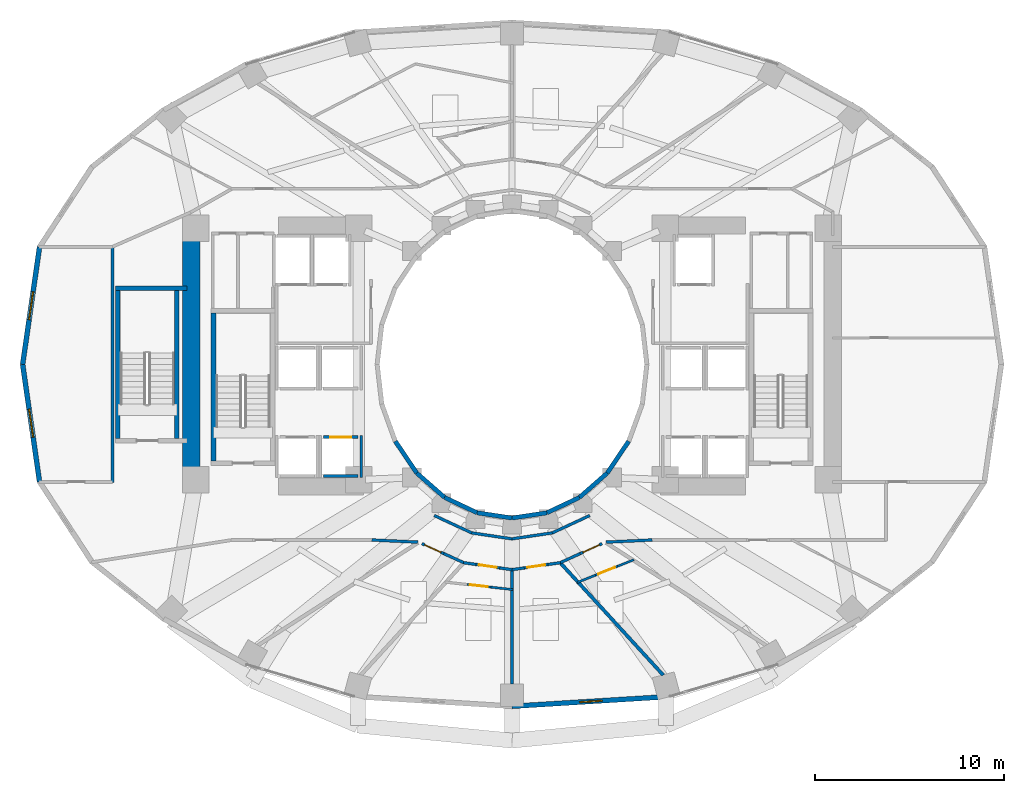
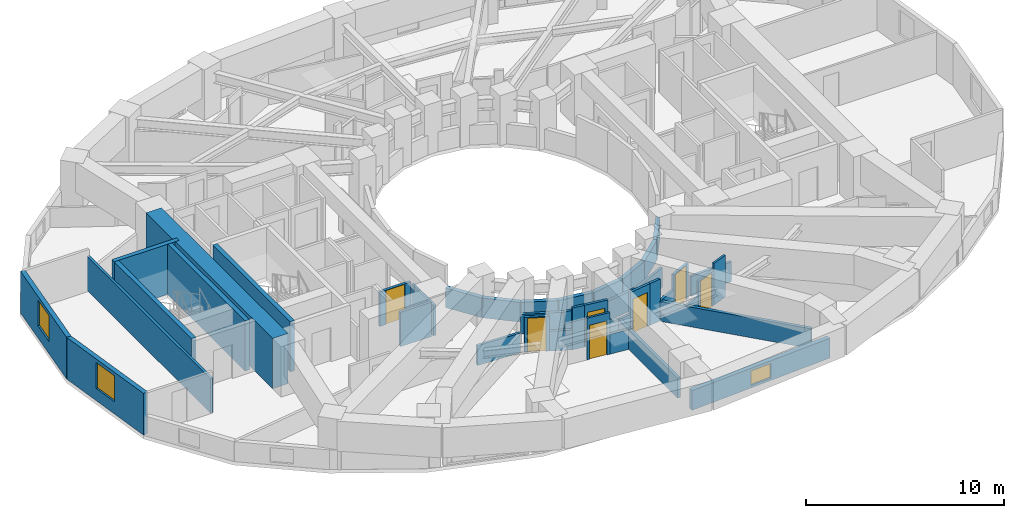
# One storey, part 10 of 17: 43 walls, 7 doors, 3 windows, 10 openings.
"""IFC4 building model written with IfcOpenShell, lengths in metres."""

from ifc_helpers import new_model, si_unit, direction, frame, frame_2d, origin, place, context, subcontext, project, spatial, rectangle, extrude, material, layer, layer_set, type_object, element, fill, save


model = new_model("IFC4")

# Units and contexts
model_context = context("Model", 3, precision=1e-05, world=origin(), true_north=direction((0.0, 1.0)))
body_context = subcontext(model_context, "Body", "Model", "MODEL_VIEW")
ifc_project = project(units=[si_unit("LENGTHUNIT", "METRE"), si_unit("AREAUNIT", "SQUARE_METRE"), si_unit("VOLUMEUNIT", "CUBIC_METRE"), si_unit("PLANEANGLEUNIT", "RADIAN"), si_unit("MASSUNIT", "GRAM", prefix="KILO")], contexts=[model_context])

# Site, building, storey
site_placement = place(None, origin())
site = spatial("IfcSite", under=ifc_project, at=site_placement, CompositionType="ELEMENT")
building_placement = place(site_placement, origin())
building = spatial("IfcBuilding", under=site, at=building_placement, Name="Solvane Sanctuary Tower", CompositionType="ELEMENT")
storey_placement = place(building_placement, frame((0.0, 0.0, 52.39990234375)))
storey = spatial("IfcBuildingStorey", under=building, at=storey_placement, Name="L15", CompositionType="ELEMENT", Elevation=52.39990234375)

# Walls
ifc_material_1 = material(Name="Concrete C70/85", Category="concrete")
ifc_layer_1 = layer(ifc_material_1, 0.89990234375, Name="Concrete C70/85")
ifc_layer_set_1 = layer_set([ifc_layer_1], Name="Concrete C70/85")
wall_type_1 = type_object("IfcWallType", Name="Wall W-CORE-900", PredefinedType="SHEAR", material=ifc_layer_set_1)
wall_1_placement = place(storey_placement, frame((15.050048828125, 17.050048828125, 0.0), z_axis=(0.0, 0.0, 1.0), x_axis=(0.0, 1.0, 0.0)))
element("IfcWall", 1, at=wall_1_placement, inside=storey, type_object=wall_type_1, Name="L15 Core Shear Wall WC-W", PredefinedType="SHEAR", context=body_context, shape_type="SweptSolid", body=[
    extrude(rectangle(XDim=12.800048828125, YDim=0.89990234375, at=frame_2d((6.39990234375, 0.0))), origin(), (0.0, 0.0, 1.0), 3.10009765625),
])
ifc_material_2 = material(Name="Acoustic Gypsum Partition Board")
ifc_layer_2 = layer(ifc_material_2, 0.14990234375, Name="Acoustic Gypsum Partition Board")
ifc_layer_set_2 = layer_set([ifc_layer_2], Name="Acoustic Gypsum Partition Board")
wall_type_2 = type_object("IfcWallType", Name="Wall W-CORR-150", PredefinedType="PARTITIONING", material=ifc_layer_set_2)
wall_2_placement = place(storey_placement, frame((27.889892578125, 15.01513671875, 0.0), z_axis=(0.0, 0.0, 1.0), x_axis=(0.906943449489, -0.421252393975, 0.0)))
element("IfcWall", 2, at=wall_2_placement, inside=storey, type_object=wall_type_2, Name="L15 Light-Well Corridor Rim Wall S1", PredefinedType="PARTITIONING", context=body_context, shape_type="SweptSolid", body=[
    extrude(rectangle(XDim=2.18603515625, YDim=0.14990234375, at=frame_2d((1.093017578125, 0.0))), origin(), (0.0, 0.0, 1.0), 1.22021484375),
])
for number, where, z_axis, x_axis, name in (
    (3, (29.87255859375, 14.09423828125, 0.0), (0.0, 0.0, 1.0), (0.989268584896, -0.146108408166, 0.0), "L15 Light-Well Corridor Rim Wall S2"),
    (4, (32.0, 13.780029296875, 0.0), (0.0, 0.0, 1.0), (0.989268584896, 0.146108408166, 0.0), "L15 Light-Well Corridor Rim Wall S3"),
):
    element("IfcWall", number, at=place(storey_placement, frame(where, z_axis=z_axis, x_axis=x_axis)), inside=storey, type_object=wall_type_2, Name=name, PredefinedType="PARTITIONING", context=body_context, shape_type="SweptSolid", body=[
        extrude(rectangle(XDim=2.150634765625, YDim=0.14990234375, at=frame_2d((1.0751953125, 0.0))), origin(), (0.0, 0.0, 1.0), 1.22021484375),
    ])
wall_3_placement = place(storey_placement, frame((34.12744140625, 14.09423828125, 0.0), z_axis=(0.0, 0.0, 1.0), x_axis=(0.906943449489, 0.421252393975, 0.0)))
element("IfcWall", 5, at=wall_3_placement, inside=storey, type_object=wall_type_2, Name="L15 Light-Well Corridor Rim Wall S4", PredefinedType="PARTITIONING", context=body_context, shape_type="SweptSolid", body=[
    extrude(rectangle(XDim=2.18603515625, YDim=0.14990234375, at=frame_2d((1.093017578125, 0.0))), origin(), (0.0, 0.0, 1.0), 1.22021484375),
])
wall_4_placement = place(storey_placement, frame((10.8798828125, 16.748291015625, 0.0), z_axis=(0.0, 0.0, 1.0), x_axis=(0.0, 1.0, 0.0)))
element("IfcWall", 6, at=wall_4_placement, inside=storey, type_object=wall_type_2, Name="L15 West Shoulder Back Wall", PredefinedType="PARTITIONING", context=body_context, shape_type="SweptSolid", body=[
    extrude(rectangle(XDim=12.50341796875, YDim=0.14990234375, at=frame_2d((6.251708984375, 0.0))), origin(), (0.0, 0.0, 1.0), 2.1201171875),
])
for number, where, z_axis, x_axis, name in (
    (7, (27.02001953125, 13.606201171875, 0.0), (0.0, 0.0, 1.0), (-0.998877427952, 0.047369651964, 0.0), "L15 SW Corner Throat Wall"),
    (8, (36.97998046875, 13.606201171875, 0.0), (0.0, 0.0, 1.0), (0.998877427952, 0.047369651964, 0.0), "L15 SE Corner Throat Wall"),
):
    element("IfcWall", number, at=place(storey_placement, frame(where, z_axis=z_axis, x_axis=x_axis)), inside=storey, type_object=wall_type_2, Name=name, PredefinedType="PARTITIONING", context=body_context, shape_type="SweptSolid", body=[
        extrude(rectangle(XDim=2.4326171875, YDim=0.14990234375, at=frame_2d((1.21630859375, 0.0))), origin(), (0.0, 0.0, 1.0), 1.22021484375),
    ])

# Wall, opening, door
wall_5_placement = place(storey_placement, frame((27.241455078125, 13.52880859375, 0.0), z_axis=(0.0, 0.0, 1.0), x_axis=(0.909740090182, -0.415178236804, 0.0)))
wall_5 = element("IfcWall", 9, at=wall_5_placement, inside=storey, type_object=wall_type_2, Name="L15 Unit Corridor Wall S1", PredefinedType="PARTITIONING", context=body_context, shape_type="SweptSolid", body=[
    extrude(rectangle(XDim=1.270263671875, YDim=0.14990234375, at=frame_2d((0.63525390625, 0.0))), origin(), (0.0, 0.0, 1.0), 2.16015625),
])
opening_1_placement = place(wall_5_placement, frame((0.159912109375, 0.0, 0.0)))
opening_1 = element("IfcOpeningElement", 10, at=opening_1_placement, cuts=wall_5, Name="Opening D-L15-25", PredefinedType="OPENING", context=body_context, shape_type="SweptSolid", body=[
    extrude(rectangle(XDim=0.949951171875, YDim=2.10009765625, at=frame_2d((0.47509765625, 1.050048828125))), frame((0.0, 0.0849609375, 0.0), z_axis=(0.0, -1.0, 0.0), x_axis=(1.0, 0.0, 0.0)), (0.0, 0.0, 1.0), 0.169921875),
])
ifc_material_3 = material(Name="Engineered Tropical Hardwood", Category="wood")
door_type_1 = type_object("IfcDoorType", Name="Door D-ROOM-950", OperationType="NOTDEFINED", PredefinedType="DOOR", material=ifc_material_3)
door_1_placement = place(opening_1_placement, origin())
door_1 = element("IfcDoor", 11, at=door_1_placement, inside=storey, type_object=door_type_1, Name="L15 Unit Entrance Door S1", OperationType="SINGLE_SWING_RIGHT", OverallHeight=2.10009765625, OverallWidth=0.949951171875, PredefinedType="DOOR", context=body_context, shape_type="SweptSolid", body=[
    extrude(rectangle(XDim=0.949951171875, YDim=2.10009765625, at=frame_2d((0.47509765625, 1.050048828125))), frame((0.0, 0.02490234375, 0.0), z_axis=(0.0, -1.0, 0.0), x_axis=(1.0, 0.0, 0.0)), (0.0, 0.0, 1.0), 0.050048828125),
])
fill(opening_1, door_1)

# Walls
wall_6_placement = place(storey_placement, frame((28.39697265625, 13.00146484375, 0.0), z_axis=(0.0, 0.0, 1.0), x_axis=(0.909741327194, -0.415175526249, 0.0)))
element("IfcWall", 12, at=wall_6_placement, inside=storey, type_object=wall_type_2, Name="L15 Unit Corridor Wall S1", PredefinedType="PARTITIONING", context=body_context, shape_type="SweptSolid", body=[
    extrude(rectangle(XDim=1.16552734375, YDim=0.14990234375, at=frame_2d((0.582763671875, 0.0))), origin(), (0.0, 0.0, 1.0), 1.22021484375),
])
wall_7_placement = place(storey_placement, frame((29.444091796875, 12.521728515625, 0.0), z_axis=(0.0, 0.0, 1.0), x_axis=(0.989643848527, -0.143544603076, 0.0)))
element("IfcWall", 13, at=wall_7_placement, inside=storey, type_object=wall_type_2, Name="L15 Unit Corridor Wall S2", PredefinedType="PARTITIONING", context=body_context, shape_type="SweptSolid", body=[
    extrude(rectangle(XDim=0.659912109375, YDim=0.14990234375, at=frame_2d((0.330078125, 0.0))), origin(), (0.0, 0.0, 1.0), 2.5751953125),
])

# Wall, opening, door
wall_8_placement = place(storey_placement, frame((30.09716796875, 12.427001953125, 0.0), z_axis=(0.0, 0.0, 1.0), x_axis=(0.989635669595, -0.143600980029, 0.0)))
wall_8 = element("IfcWall", 14, at=wall_8_placement, inside=storey, type_object=wall_type_2, Name="L15 Unit Corridor Wall S2", PredefinedType="PARTITIONING", context=body_context, shape_type="SweptSolid", body=[
    extrude(rectangle(XDim=1.27001953125, YDim=0.14990234375, at=frame_2d((0.635009765625, 0.0))), origin(), (0.0, 0.0, 1.0), 2.5751953125),
])
opening_2_placement = place(wall_8_placement, frame((0.159912109375, 0.0, 0.0)))
opening_2 = element("IfcOpeningElement", 15, at=opening_2_placement, cuts=wall_8, Name="Opening D-L15-27", PredefinedType="OPENING", context=body_context, shape_type="SweptSolid", body=[
    extrude(rectangle(XDim=0.949951171875, YDim=2.10009765625, at=frame_2d((0.47509765625, 1.050048828125))), frame((0.0, 0.0849609375, 0.0), z_axis=(0.0, -1.0, 0.0), x_axis=(1.0, 0.0, 0.0)), (0.0, 0.0, 1.0), 0.169921875),
])
door_2_placement = place(opening_2_placement, origin())
door_2 = element("IfcDoor", 16, at=door_2_placement, inside=storey, type_object=door_type_1, Name="L15 Unit Entrance Door S2", OperationType="SINGLE_SWING_RIGHT", OverallHeight=2.10009765625, OverallWidth=0.949951171875, PredefinedType="DOOR", context=body_context, shape_type="SweptSolid", body=[
    extrude(rectangle(XDim=0.949951171875, YDim=2.10009765625, at=frame_2d((0.47509765625, 1.050048828125))), frame((0.0, 0.02490234375, 0.0), z_axis=(0.0, -1.0, 0.0), x_axis=(1.0, 0.0, 0.0)), (0.0, 0.0, 1.0), 0.050048828125),
])
fill(opening_2, door_2)

# Walls
wall_9_placement = place(storey_placement, frame((31.35400390625, 12.24462890625, 0.0), z_axis=(0.0, 0.0, 1.0), x_axis=(0.989636221287, -0.143597177958, 0.0)))
element("IfcWall", 17, at=wall_9_placement, inside=storey, type_object=wall_type_2, Name="L15 Unit Corridor Wall S2", PredefinedType="PARTITIONING", context=body_context, shape_type="SweptSolid", body=[
    extrude(rectangle(XDim=0.65966796875, YDim=0.14990234375, at=frame_2d((0.329833984375, 0.0))), origin(), (0.0, 0.0, 1.0), 1.22021484375),
])
wall_10_placement = place(storey_placement, frame((31.9931640625, 12.14990234375, 0.0), z_axis=(0.0, 0.0, 1.0), x_axis=(0.989643848527, 0.143544603076, 0.0)))
element("IfcWall", 18, at=wall_10_placement, inside=storey, type_object=wall_type_2, Name="L15 Unit Corridor Wall S3", PredefinedType="PARTITIONING", context=body_context, shape_type="SweptSolid", body=[
    extrude(rectangle(XDim=0.659912109375, YDim=0.14990234375, at=frame_2d((0.330078125, 0.0))), origin(), (0.0, 0.0, 1.0), 1.22021484375),
])

# Wall, opening, door
wall_11_placement = place(storey_placement, frame((32.646240234375, 12.24462890625, 0.0), z_axis=(0.0, 0.0, 1.0), x_axis=(0.989635669595, 0.143600980029, 0.0)))
wall_11 = element("IfcWall", 19, at=wall_11_placement, inside=storey, type_object=wall_type_2, Name="L15 Unit Corridor Wall S3", PredefinedType="PARTITIONING", context=body_context, shape_type="SweptSolid", body=[
    extrude(rectangle(XDim=1.27001953125, YDim=0.14990234375, at=frame_2d((0.635009765625, 0.0))), origin(), (0.0, 0.0, 1.0), 2.5751953125),
])
opening_3_placement = place(wall_11_placement, frame((0.159912109375, 0.0, 0.0)))
opening_3 = element("IfcOpeningElement", 20, at=opening_3_placement, cuts=wall_11, Name="Opening D-L15-28", PredefinedType="OPENING", context=body_context, shape_type="SweptSolid", body=[
    extrude(rectangle(XDim=0.949951171875, YDim=2.10009765625, at=frame_2d((0.47509765625, 1.050048828125))), frame((0.0, 0.0849609375, 0.0), z_axis=(0.0, -1.0, 0.0), x_axis=(1.0, 0.0, 0.0)), (0.0, 0.0, 1.0), 0.169921875),
])
door_3_placement = place(opening_3_placement, origin())
door_3 = element("IfcDoor", 21, at=door_3_placement, inside=storey, type_object=door_type_1, Name="L15 Unit Entrance Door S3", OperationType="SINGLE_SWING_LEFT", OverallHeight=2.10009765625, OverallWidth=0.949951171875, PredefinedType="DOOR", context=body_context, shape_type="SweptSolid", body=[
    extrude(rectangle(XDim=0.949951171875, YDim=2.10009765625, at=frame_2d((0.47509765625, 1.050048828125))), frame((0.0, 0.02490234375, 0.0), z_axis=(0.0, -1.0, 0.0), x_axis=(1.0, 0.0, 0.0)), (0.0, 0.0, 1.0), 0.050048828125),
])
fill(opening_3, door_3)

# Walls
wall_12_placement = place(storey_placement, frame((33.903076171875, 12.427001953125, 0.0), z_axis=(0.0, 0.0, 1.0), x_axis=(0.989636221287, 0.143597177958, 0.0)))
element("IfcWall", 22, at=wall_12_placement, inside=storey, type_object=wall_type_2, Name="L15 Unit Corridor Wall S3", PredefinedType="PARTITIONING", context=body_context, shape_type="SweptSolid", body=[
    extrude(rectangle(XDim=0.65966796875, YDim=0.14990234375, at=frame_2d((0.329833984375, 0.0))), origin(), (0.0, 0.0, 1.0), 2.5751953125),
])
wall_13_placement = place(storey_placement, frame((34.542724609375, 12.517578125, 0.0), z_axis=(0.0, 0.0, 1.0), x_axis=(0.909741327194, 0.415175526249, 0.0)))
element("IfcWall", 23, at=wall_13_placement, inside=storey, type_object=wall_type_2, Name="L15 Unit Corridor Wall S4", PredefinedType="PARTITIONING", context=body_context, shape_type="SweptSolid", body=[
    extrude(rectangle(XDim=1.16552734375, YDim=0.14990234375, at=frame_2d((0.582763671875, 0.0))), origin(), (0.0, 0.0, 1.0), 1.22021484375),
])

# Wall, opening, door
wall_14_placement = place(storey_placement, frame((35.60302734375, 13.00146484375, 0.0), z_axis=(0.0, 0.0, 1.0), x_axis=(0.909740090182, 0.415178236804, 0.0)))
wall_14 = element("IfcWall", 24, at=wall_14_placement, inside=storey, type_object=wall_type_2, Name="L15 Unit Corridor Wall S4", PredefinedType="PARTITIONING", context=body_context, shape_type="SweptSolid", body=[
    extrude(rectangle(XDim=1.270263671875, YDim=0.14990234375, at=frame_2d((0.63525390625, 0.0))), origin(), (0.0, 0.0, 1.0), 2.16015625),
])
opening_4_placement = place(wall_14_placement, frame((0.159912109375, 0.0, 0.0)))
opening_4 = element("IfcOpeningElement", 25, at=opening_4_placement, cuts=wall_14, Name="Opening D-L15-30", PredefinedType="OPENING", context=body_context, shape_type="SweptSolid", body=[
    extrude(rectangle(XDim=0.949951171875, YDim=2.10009765625, at=frame_2d((0.47509765625, 1.050048828125))), frame((0.0, 0.0849609375, 0.0), z_axis=(0.0, -1.0, 0.0), x_axis=(1.0, 0.0, 0.0)), (0.0, 0.0, 1.0), 0.169921875),
])
door_4_placement = place(opening_4_placement, origin())
door_4 = element("IfcDoor", 26, at=door_4_placement, inside=storey, type_object=door_type_1, Name="L15 Unit Entrance Door S4", OperationType="SINGLE_SWING_LEFT", OverallHeight=2.10009765625, OverallWidth=0.949951171875, PredefinedType="DOOR", context=body_context, shape_type="SweptSolid", body=[
    extrude(rectangle(XDim=0.949951171875, YDim=2.10009765625, at=frame_2d((0.47509765625, 1.050048828125))), frame((0.0, 0.02490234375, 0.0), z_axis=(0.0, -1.0, 0.0), x_axis=(1.0, 0.0, 0.0)), (0.0, 0.0, 1.0), 0.050048828125),
])
fill(opening_4, door_4)

# Wall, opening, window
ifc_material_4 = material(Name="Precast concrete C40/50", Category="concrete")
ifc_layer_3 = layer(ifc_material_4, 0.260009765625, Name="Precast concrete C40/50")
ifc_layer_set_3 = layer_set([ifc_layer_3], Name="Precast concrete C40/50")
wall_type_3 = type_object("IfcWallType", Name="Wall W-EXT-250", PredefinedType="STANDARD", material=ifc_layer_set_3)
wall_15_placement = place(storey_placement, frame((7.033447265625, 29.205322265625, 0.0), z_axis=(0.0, 0.0, 1.0), x_axis=(-0.142528001686, -0.989790770181, 0.0)))
wall_15 = element("IfcWall", 27, at=wall_15_placement, inside=storey, type_object=wall_type_3, Name="L15 Ceramic-Printed Facade Wall 11", PredefinedType="STANDARD", context=body_context, shape_type="SweptSolid", body=[
    extrude(rectangle(XDim=6.269287109375, YDim=0.260009765625, at=frame_2d((3.134765625, 0.0))), origin(), (0.0, 0.0, 1.0), 2.570068359375),
])
opening_5_placement = place(wall_15_placement, frame((2.384521484375, 0.0, 0.75)))
opening_5 = element("IfcOpeningElement", 28, at=opening_5_placement, cuts=wall_15, Name="Opening WN-OPER-1500", PredefinedType="OPENING", context=body_context, shape_type="SweptSolid", body=[
    extrude(rectangle(XDim=1.5, YDim=1.60009765625, at=frame_2d((0.75, 0.800048828125))), frame((0.0, 0.139892578125, 0.0), z_axis=(0.0, -1.0, 0.0), x_axis=(1.0, 0.0, 0.0)), (0.0, 0.0, 1.0), 0.280029296875),
])
ifc_material_5 = material(Name="Dark Ceramic-Fritted Low-E Glass", Category="glass")
window_type_1 = type_object("IfcWindowType", Name="Window WN-OPER-1500", PartitioningType="SINGLE_PANEL", PredefinedType="WINDOW", material=ifc_material_5)
window_1_placement = place(opening_5_placement, origin())
window_1 = element("IfcWindow", 29, at=window_1_placement, inside=storey, type_object=window_type_1, Name="L15 Operable Facade Window 11", OverallHeight=1.60009765625, OverallWidth=1.5, PartitioningType="SINGLE_PANEL", PredefinedType="WINDOW", context=body_context, shape_type="SweptSolid", body=[
    extrude(rectangle(XDim=1.5, YDim=1.60009765625, at=frame_2d((0.75, 0.800048828125))), frame((0.0, 0.030029296875, 0.0), z_axis=(0.0, -1.0, 0.0), x_axis=(1.0, 0.0, 0.0)), (0.0, 0.0, 1.0), 0.06005859375),
])
fill(opening_5, window_1)

wall_16_placement = place(storey_placement, frame((6.139892578125, 23.0, 0.0), z_axis=(0.0, 0.0, 1.0), x_axis=(0.142528001686, -0.989790770181, 0.0)))
wall_16 = element("IfcWall", 30, at=wall_16_placement, inside=storey, type_object=wall_type_3, Name="L15 Ceramic-Printed Facade Wall 12", PredefinedType="STANDARD", context=body_context, shape_type="SweptSolid", body=[
    extrude(rectangle(XDim=6.269287109375, YDim=0.260009765625, at=frame_2d((3.134765625, 0.0))), origin(), (0.0, 0.0, 1.0), 2.570068359375),
])
opening_6_placement = place(wall_16_placement, frame((2.384521484375, 0.0, 0.75)))
opening_6 = element("IfcOpeningElement", 31, at=opening_6_placement, cuts=wall_16, Name="Opening WN-OPER-1500", PredefinedType="OPENING", context=body_context, shape_type="SweptSolid", body=[
    extrude(rectangle(XDim=1.5, YDim=1.60009765625, at=frame_2d((0.75, 0.800048828125))), frame((0.0, 0.139892578125, 0.0), z_axis=(0.0, -1.0, 0.0), x_axis=(1.0, 0.0, 0.0)), (0.0, 0.0, 1.0), 0.280029296875),
])
window_2_placement = place(opening_6_placement, origin())
window_2 = element("IfcWindow", 32, at=window_2_placement, inside=storey, type_object=window_type_1, Name="L15 Operable Facade Window 12", OverallHeight=1.60009765625, OverallWidth=1.5, PartitioningType="SINGLE_PANEL", PredefinedType="WINDOW", context=body_context, shape_type="SweptSolid", body=[
    extrude(rectangle(XDim=1.5, YDim=1.60009765625, at=frame_2d((0.75, 0.800048828125))), frame((0.0, 0.030029296875, 0.0), z_axis=(0.0, -1.0, 0.0), x_axis=(1.0, 0.0, 0.0)), (0.0, 0.0, 1.0), 0.06005859375),
])
fill(opening_6, window_2)

wall_17_placement = place(storey_placement, frame((32.0, 4.931396484375, 0.0), z_axis=(0.0, 0.0, 1.0), x_axis=(0.998090514779, 0.061768311519, 0.0)))
wall_17 = element("IfcWall", 33, at=wall_17_placement, inside=storey, type_object=wall_type_3, Name="L15 Ceramic-Printed Facade Wall 18", PredefinedType="STANDARD", context=body_context, shape_type="SweptSolid", body=[
    extrude(rectangle(XDim=8.34765625, YDim=0.260009765625, at=frame_2d((4.173828125, 0.0))), origin(), (0.0, 0.0, 1.0), 1.22021484375),
])
opening_7_placement = place(wall_17_placement, frame((3.57373046875, 0.0, 0.14990234375)))
opening_7 = element("IfcOpeningElement", 34, at=opening_7_placement, cuts=wall_17, Name="Opening WN-OPER-1200", PredefinedType="OPENING", context=body_context, shape_type="SweptSolid", body=[
    extrude(rectangle(XDim=1.199951171875, YDim=0.89990234375, at=frame_2d((0.60009765625, 0.449951171875))), frame((0.0, 0.139892578125, 0.0), z_axis=(0.0, -1.0, 0.0), x_axis=(1.0, 0.0, 0.0)), (0.0, 0.0, 1.0), 0.280029296875),
])
window_type_2 = type_object("IfcWindowType", Name="Window WN-OPER-1200", PartitioningType="SINGLE_PANEL", PredefinedType="WINDOW", material=ifc_material_5)
window_3_placement = place(opening_7_placement, origin())
window_3 = element("IfcWindow", 35, at=window_3_placement, inside=storey, type_object=window_type_2, Name="L15 Operable Facade Window 18", OverallHeight=0.89990234375, OverallWidth=1.199951171875, PartitioningType="SINGLE_PANEL", PredefinedType="WINDOW", context=body_context, shape_type="SweptSolid", body=[
    extrude(rectangle(XDim=1.199951171875, YDim=0.89990234375, at=frame_2d((0.60009765625, 0.449951171875))), frame((0.0, 0.030029296875, 0.0), z_axis=(0.0, -1.0, 0.0), x_axis=(1.0, 0.0, 0.0)), (0.0, 0.0, 1.0), 0.06005859375),
])
fill(opening_7, window_3)

# Walls
ifc_layer_4 = layer(ifc_material_4, 0.22998046875, Name="Precast concrete C40/50")
ifc_layer_set_4 = layer_set([ifc_layer_4], Name="Precast concrete C40/50")
wall_type_4 = type_object("IfcWallType", Name="Wall W-EXT-SP220", PredefinedType="STANDARD", material=ifc_layer_set_4)
wall_18_placement = place(storey_placement, frame((25.833984375, 18.93994140625, 0.0), z_axis=(0.0, 0.0, 1.0), x_axis=(0.558197800898, -0.829707909492, 0.0)))
element("IfcWall", 36, at=wall_18_placement, inside=storey, type_object=wall_type_4, Name="L15 Central Light-Well Wall 14", PredefinedType="STANDARD", context=body_context, shape_type="SweptSolid", body=[
    extrude(rectangle(XDim=2.02685546875, YDim=0.22998046875, at=frame_2d((1.013427734375, 0.0))), origin(), (0.0, 0.0, 1.0), 1.22021484375),
])
wall_19_placement = place(storey_placement, frame((26.96533203125, 17.25830078125, 0.0), z_axis=(0.0, 0.0, 1.0), x_axis=(0.752576694707, -0.658504607869, 0.0)))
element("IfcWall", 37, at=wall_19_placement, inside=storey, type_object=wall_type_4, Name="L15 Central Light-Well Wall 15", PredefinedType="STANDARD", context=body_context, shape_type="SweptSolid", body=[
    extrude(rectangle(XDim=1.95947265625, YDim=0.22998046875, at=frame_2d((0.979736328125, 0.0))), origin(), (0.0, 0.0, 1.0), 1.22021484375),
])
wall_20_placement = place(storey_placement, frame((28.43994140625, 15.968017578125, 0.0), z_axis=(0.0, 0.0, 1.0), x_axis=(0.904179699603, -0.427152280606, 0.0)))
element("IfcWall", 38, at=wall_20_placement, inside=storey, type_object=wall_type_4, Name="L15 Central Light-Well Wall 16", PredefinedType="STANDARD", context=body_context, shape_type="SweptSolid", body=[
    extrude(rectangle(XDim=1.899169921875, YDim=0.22998046875, at=frame_2d((0.94970703125, 0.0))), origin(), (0.0, 0.0, 1.0), 1.22021484375),
])
for number, where, z_axis, x_axis, name in (
    (39, (30.1572265625, 15.15673828125, 0.0), (0.0, 0.0, 1.0), (0.988901730308, -0.148571086668, 0.0), "L15 Central Light-Well Wall 17"),
    (40, (32.0, 14.8798828125, 0.0), (0.0, 0.0, 1.0), (0.988901730308, 0.148571086668, 0.0), "L15 Central Light-Well Wall 18"),
):
    element("IfcWall", number, at=place(storey_placement, frame(where, z_axis=z_axis, x_axis=x_axis)), inside=storey, type_object=wall_type_4, Name=name, PredefinedType="STANDARD", context=body_context, shape_type="SweptSolid", body=[
        extrude(rectangle(XDim=1.863525390625, YDim=0.22998046875, at=frame_2d((0.931640625, 0.0))), origin(), (0.0, 0.0, 1.0), 1.22021484375),
    ])
wall_21_placement = place(storey_placement, frame((33.8427734375, 15.15673828125, 0.0), z_axis=(0.0, 0.0, 1.0), x_axis=(0.904179699603, 0.427152280606, 0.0)))
element("IfcWall", 41, at=wall_21_placement, inside=storey, type_object=wall_type_4, Name="L15 Central Light-Well Wall 19", PredefinedType="STANDARD", context=body_context, shape_type="SweptSolid", body=[
    extrude(rectangle(XDim=1.899169921875, YDim=0.22998046875, at=frame_2d((0.94970703125, 0.0))), origin(), (0.0, 0.0, 1.0), 1.22021484375),
])
wall_22_placement = place(storey_placement, frame((35.56005859375, 15.968017578125, 0.0), z_axis=(0.0, 0.0, 1.0), x_axis=(0.752576694707, 0.658504607869, 0.0)))
element("IfcWall", 42, at=wall_22_placement, inside=storey, type_object=wall_type_4, Name="L15 Central Light-Well Wall 20", PredefinedType="STANDARD", context=body_context, shape_type="SweptSolid", body=[
    extrude(rectangle(XDim=1.95947265625, YDim=0.22998046875, at=frame_2d((0.979736328125, 0.0))), origin(), (0.0, 0.0, 1.0), 1.22021484375),
])
wall_23_placement = place(storey_placement, frame((37.03466796875, 17.25830078125, 0.0), z_axis=(0.0, 0.0, 1.0), x_axis=(0.558197800898, 0.829707909492, 0.0)))
element("IfcWall", 43, at=wall_23_placement, inside=storey, type_object=wall_type_4, Name="L15 Central Light-Well Wall 21", PredefinedType="STANDARD", context=body_context, shape_type="SweptSolid", body=[
    extrude(rectangle(XDim=2.02685546875, YDim=0.22998046875, at=frame_2d((1.013427734375, 0.0))), origin(), (0.0, 0.0, 1.0), 1.22021484375),
])

# Wall, opening, door
ifc_layer_5 = layer(ifc_material_2, 0.1201171875, Name="Acoustic Gypsum Partition Board")
ifc_layer_set_5 = layer_set([ifc_layer_5], Name="Acoustic Gypsum Partition Board")
wall_type_5 = type_object("IfcWallType", Name="Wall W-MOV-100", PredefinedType="MOVABLE", material=ifc_layer_set_5)
wall_24_placement = place(storey_placement, frame((29.62353515625, 11.368408203125, 0.0), z_axis=(0.0, 0.0, 1.0), x_axis=(0.993895448934, -0.110326046739, 0.0)))
wall_24 = element("IfcWall", 44, at=wall_24_placement, inside=storey, type_object=wall_type_5, Name="L15 Suite Sitting Lounge Partition S2", PredefinedType="MOVABLE", context=body_context, shape_type="SweptSolid", body=[
    extrude(rectangle(XDim=1.270263671875, YDim=0.1201171875, at=frame_2d((0.63525390625, 0.0))), origin(), (0.0, 0.0, 1.0), 2.5751953125),
])
opening_8_placement = place(wall_24_placement, frame((0.159912109375, 0.0, 0.0)))
opening_8 = element("IfcOpeningElement", 45, at=opening_8_placement, cuts=wall_24, Name="Opening D-L15-26", PredefinedType="OPENING", context=body_context, shape_type="SweptSolid", body=[
    extrude(rectangle(XDim=0.949951171875, YDim=2.10009765625, at=frame_2d((0.47509765625, 1.050048828125))), frame((0.0, 0.070068359375, 0.0), z_axis=(0.0, -1.0, 0.0), x_axis=(1.0, 0.0, 0.0)), (0.0, 0.0, 1.0), 0.14013671875),
])
door_5_placement = place(opening_8_placement, origin())
door_5 = element("IfcDoor", 46, at=door_5_placement, inside=storey, type_object=door_type_1, Name="L15 Suite Sitting Lounge Door S2", OperationType="SINGLE_SWING_LEFT", OverallHeight=2.10009765625, OverallWidth=0.949951171875, PredefinedType="DOOR", context=body_context, shape_type="SweptSolid", body=[
    extrude(rectangle(XDim=0.949951171875, YDim=2.10009765625, at=frame_2d((0.47509765625, 1.050048828125))), frame((0.0, 0.02490234375, 0.0), z_axis=(0.0, -1.0, 0.0), x_axis=(1.0, 0.0, 0.0)), (0.0, 0.0, 1.0), 0.050048828125),
])
fill(opening_8, door_5)

# Walls
wall_25_placement = place(storey_placement, frame((30.885986328125, 11.228271484375, 0.0), z_axis=(0.0, 0.0, 1.0), x_axis=(0.993876104587, -0.110500175253, 0.0)))
element("IfcWall", 47, at=wall_25_placement, inside=storey, type_object=wall_type_5, Name="L15 Suite Sitting Lounge Partition S2", PredefinedType="MOVABLE", context=body_context, shape_type="SweptSolid", body=[
    extrude(rectangle(XDim=1.1708984375, YDim=0.1201171875, at=frame_2d((0.58544921875, 0.0))), origin(), (0.0, 0.0, 1.0), 1.22021484375),
])
wall_26_placement = place(storey_placement, frame((35.444091796875, 11.4736328125, 0.0), z_axis=(0.0, 0.0, 1.0), x_axis=(0.927842429586, 0.372972419704, 0.0)))
element("IfcWall", 48, at=wall_26_placement, inside=storey, type_object=wall_type_5, Name="L15 Suite Sitting Lounge Partition S4", PredefinedType="MOVABLE", context=body_context, shape_type="SweptSolid", body=[
    extrude(rectangle(XDim=1.03759765625, YDim=0.1201171875, at=frame_2d((0.518798828125, 0.0))), origin(), (0.0, 0.0, 1.0), 1.22021484375),
])

# Wall, opening, door
wall_27_placement = place(storey_placement, frame((36.40673828125, 11.860595703125, 0.0), z_axis=(0.0, 0.0, 1.0), x_axis=(0.927932127314, 0.372749201339, 0.0)))
wall_27 = element("IfcWall", 49, at=wall_27_placement, inside=storey, type_object=wall_type_5, Name="L15 Suite Sitting Lounge Partition S4", PredefinedType="MOVABLE", context=body_context, shape_type="SweptSolid", body=[
    extrude(rectangle(XDim=1.27001953125, YDim=0.1201171875, at=frame_2d((0.635009765625, 0.0))), origin(), (0.0, 0.0, 1.0), 2.16015625),
])
opening_9_placement = place(wall_27_placement, frame((0.159912109375, 0.0, 0.0)))
opening_9 = element("IfcOpeningElement", 50, at=opening_9_placement, cuts=wall_27, Name="Opening D-L15-29", PredefinedType="OPENING", context=body_context, shape_type="SweptSolid", body=[
    extrude(rectangle(XDim=0.949951171875, YDim=2.10009765625, at=frame_2d((0.47509765625, 1.050048828125))), frame((0.0, 0.070068359375, 0.0), z_axis=(0.0, -1.0, 0.0), x_axis=(1.0, 0.0, 0.0)), (0.0, 0.0, 1.0), 0.14013671875),
])
door_6_placement = place(opening_9_placement, origin())
door_6 = element("IfcDoor", 51, at=door_6_placement, inside=storey, type_object=door_type_1, Name="L15 Suite Sitting Lounge Door S4", OperationType="SINGLE_SWING_RIGHT", OverallHeight=2.10009765625, OverallWidth=0.949951171875, PredefinedType="DOOR", context=body_context, shape_type="SweptSolid", body=[
    extrude(rectangle(XDim=0.949951171875, YDim=2.10009765625, at=frame_2d((0.47509765625, 1.050048828125))), frame((0.0, 0.02490234375, 0.0), z_axis=(0.0, -1.0, 0.0), x_axis=(1.0, 0.0, 0.0)), (0.0, 0.0, 1.0), 0.050048828125),
])
fill(opening_9, door_6)

# Wall
wall_28_placement = place(storey_placement, frame((37.585205078125, 12.333984375, 0.0), z_axis=(0.0, 0.0, 1.0), x_axis=(0.927874016973, 0.372893830233, 0.0)))
element("IfcWall", 52, at=wall_28_placement, inside=storey, type_object=wall_type_5, Name="L15 Suite Sitting Lounge Partition S4", PredefinedType="MOVABLE", context=body_context, shape_type="SweptSolid", body=[
    extrude(rectangle(XDim=0.923828125, YDim=0.1201171875, at=frame_2d((0.4619140625, 0.0))), origin(), (0.0, 0.0, 1.0), 2.5751953125),
])

# Wall, opening, door
ifc_material_6 = material(Name="Concrete C50/60", Category="concrete")
ifc_layer_6 = layer(ifc_material_6, 0.14990234375, Name="Concrete C50/60")
ifc_layer_set_6 = layer_set([ifc_layer_6], Name="Concrete C50/60")
wall_type_6 = type_object("IfcWallType", Name="Wall W-SHAFT-150", PredefinedType="SOLIDWALL", material=ifc_layer_set_6)
wall_29_placement = place(storey_placement, frame((22.0400390625, 19.159912109375, 0.0), z_axis=(0.0, 0.0, 1.0), x_axis=(1.0, 0.0, 0.0)))
wall_29 = element("IfcWall", 53, at=wall_29_placement, inside=storey, type_object=wall_type_6, Name="L15 PL-2 Lift Shaft Wall F", PredefinedType="SOLIDWALL", context=body_context, shape_type="SweptSolid", body=[
    extrude(rectangle(XDim=1.820068359375, YDim=0.14990234375, at=frame_2d((0.91015625, 0.0))), origin(), (0.0, 0.0, 1.0), 2.1201171875),
])
opening_10_placement = place(wall_29_placement, frame((0.360107421875, 0.0, 0.0)))
opening_10 = element("IfcOpeningElement", 54, at=opening_10_placement, cuts=wall_29, Name="Opening LD-L15-02", PredefinedType="OPENING", context=body_context, shape_type="SweptSolid", body=[
    extrude(rectangle(XDim=1.10009765625, YDim=2.10009765625, at=frame_2d((0.550048828125, 1.050048828125))), frame((0.0, 0.0849609375, 0.0), z_axis=(0.0, -1.0, 0.0), x_axis=(1.0, 0.0, 0.0)), (0.0, 0.0, 1.0), 0.169921875),
])
ifc_material_7 = material(Name="Architectural Stainless Steel 316", Category="steel")
door_type_2 = type_object("IfcDoorType", Name="Door LD-PASS-1100", OperationType="NOTDEFINED", PredefinedType="DOOR", material=ifc_material_7)
door_7_placement = place(opening_10_placement, origin())
door_7 = element("IfcDoor", 55, at=door_7_placement, inside=storey, type_object=door_type_2, Name="L15 PL-2 Lift Landing Door", OperationType="DOUBLE_DOOR_SLIDING", OverallHeight=2.10009765625, OverallWidth=1.10009765625, PredefinedType="DOOR", context=body_context, shape_type="SweptSolid", body=[
    extrude(rectangle(XDim=1.10009765625, YDim=2.10009765625, at=frame_2d((0.550048828125, 1.050048828125))), frame((0.0, 0.02490234375, 0.0), z_axis=(0.0, -1.0, 0.0), x_axis=(1.0, 0.0, 0.0)), (0.0, 0.0, 1.0), 0.050048828125),
])
fill(opening_10, door_7)

# Walls
wall_30_placement = place(storey_placement, frame((22.0400390625, 17.10009765625, 0.0), z_axis=(0.0, 0.0, 1.0), x_axis=(1.0, 0.0, 0.0)))
element("IfcWall", 56, at=wall_30_placement, inside=storey, type_object=wall_type_6, Name="L15 PL-2 Lift Shaft Wall B", PredefinedType="SOLIDWALL", context=body_context, shape_type="SweptSolid", body=[
    extrude(rectangle(XDim=1.820068359375, YDim=0.14990234375, at=frame_2d((0.91015625, 0.0))), origin(), (0.0, 0.0, 1.0), 2.1201171875),
])
wall_31_placement = place(storey_placement, frame((24.030029296875, 17.02001953125, 0.0), z_axis=(0.0, 0.0, 1.0), x_axis=(0.0, 1.0, 0.0)))
element("IfcWall", 57, at=wall_31_placement, inside=storey, type_object=wall_type_6, Name="L15 PL-2 Lift Shaft Wall S2", PredefinedType="SOLIDWALL", context=body_context, shape_type="SweptSolid", body=[
    extrude(rectangle(XDim=2.219970703125, YDim=0.14990234375, at=frame_2d((1.10986328125, 0.0))), origin(), (0.0, 0.0, 1.0), 1.873046875),
])
ifc_layer_7 = layer(ifc_material_6, 0.25, Name="Concrete C50/60")
ifc_layer_set_7 = layer_set([ifc_layer_7], Name="Concrete C50/60")
wall_type_7 = type_object("IfcWallType", Name="Wall W-SHAFT-250", PredefinedType="SOLIDWALL", material=ifc_layer_set_7)
wall_32_placement = place(storey_placement, frame((16.22998046875, 17.89501953125, 0.0), z_axis=(0.0, 0.0, 1.0), x_axis=(0.0, 1.0, 0.0)))
element("IfcWall", 58, at=wall_32_placement, inside=storey, type_object=wall_type_7, Name="L15 ST-1 Load-Bearing Shaft Wall W", PredefinedType="SOLIDWALL", context=body_context, shape_type="SweptSolid", body=[
    extrude(rectangle(XDim=7.81005859375, YDim=0.25, at=frame_2d((3.905029296875, 0.0))), origin(), (0.0, 0.0, 1.0), 3.10009765625),
])
wall_33_placement = place(storey_placement, frame((11.044921875, 27.030029296875, 0.0), z_axis=(0.0, 0.0, 1.0), x_axis=(1.0, 0.0, 0.0)))
element("IfcWall", 59, at=wall_33_placement, inside=storey, type_object=wall_type_7, Name="L15 ST-3 Load-Bearing Shaft Wall N", PredefinedType="SOLIDWALL", context=body_context, shape_type="SweptSolid", body=[
    extrude(rectangle(XDim=3.781982421875, YDim=0.25, at=frame_2d((1.89111328125, 0.0))), origin(), (0.0, 0.0, 1.0), 3.10009765625),
])
for number, where, z_axis, x_axis, name in (
    (60, (11.169921875, 19.094970703125, 0.0), (0.0, 0.0, 1.0), (0.0, 1.0, 0.0), "L15 ST-3 Load-Bearing Shaft Wall W"),
    (61, (14.2900390625, 19.094970703125, 0.0), (0.0, 0.0, 1.0), (0.0, 1.0, 0.0), "L15 ST-3 Load-Bearing Shaft Wall E"),
):
    element("IfcWall", number, at=place(storey_placement, frame(where, z_axis=z_axis, x_axis=x_axis)), inside=storey, type_object=wall_type_7, Name=name, PredefinedType="SOLIDWALL", context=body_context, shape_type="SweptSolid", body=[
        extrude(rectangle(XDim=7.81005859375, YDim=0.25, at=frame_2d((3.905029296875, 0.0))), origin(), (0.0, 0.0, 1.0), 3.10009765625),
    ])
ifc_layer_8 = layer(ifc_material_2, 0.179931640625, Name="Acoustic Gypsum Partition Board")
ifc_layer_set_8 = layer_set([ifc_layer_8], Name="Acoustic Gypsum Partition Board")
wall_type_8 = type_object("IfcWallType", Name="Wall W-UNIT-180", PredefinedType="PARTITIONING", material=ifc_layer_set_8)
wall_34_placement = place(storey_placement, frame((32.0, 12.094970703125, 0.0), z_axis=(0.0, 0.0, 1.0), x_axis=(0.0, -1.0, 0.0)))
element("IfcWall", 62, at=wall_34_placement, inside=storey, type_object=wall_type_8, Name="L15 Radial Compartment Wall 270", PredefinedType="PARTITIONING", context=body_context, shape_type="SweptSolid", body=[
    extrude(rectangle(XDim=5.994873046875, YDim=0.179931640625, at=frame_2d((2.99755859375, 0.0))), origin(), (0.0, 0.0, 1.0), 1.22021484375),
])
wall_35_placement = place(storey_placement, frame((34.58642578125, 12.47900390625, 0.0), z_axis=(0.0, 0.0, 1.0), x_axis=(0.675465011224, -0.737392038615, 0.0)))
element("IfcWall", 63, at=wall_35_placement, inside=storey, type_object=wall_type_8, Name="L15 Radial Compartment Wall 285", PredefinedType="PARTITIONING", context=body_context, shape_type="SweptSolid", body=[
    extrude(rectangle(XDim=8.007080078125, YDim=0.179931640625, at=frame_2d((4.00341796875, 0.0))), origin(), (0.0, 0.0, 1.0), 1.22021484375),
])

save(model, "model.ifc")
